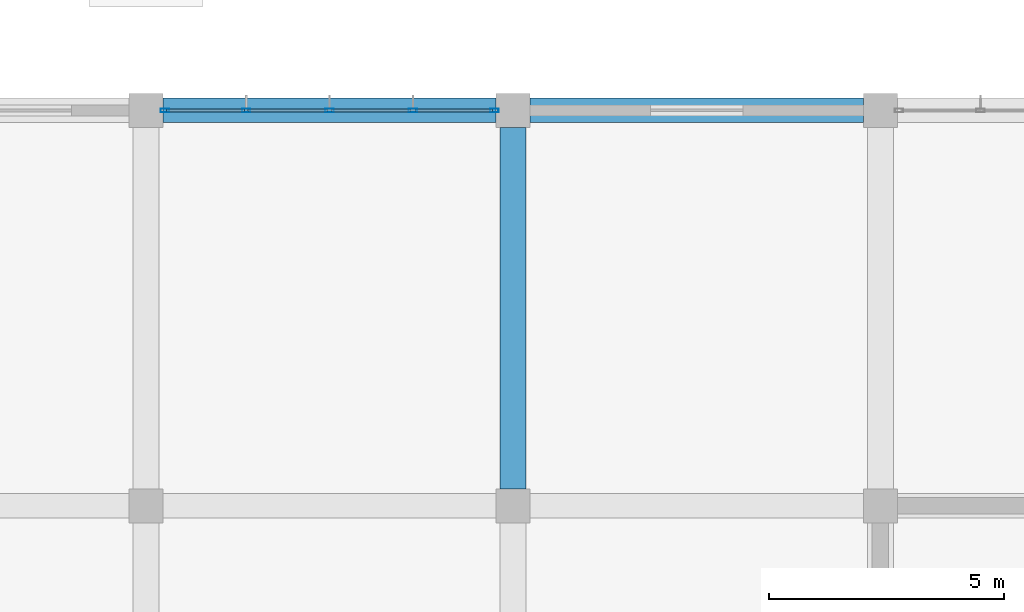
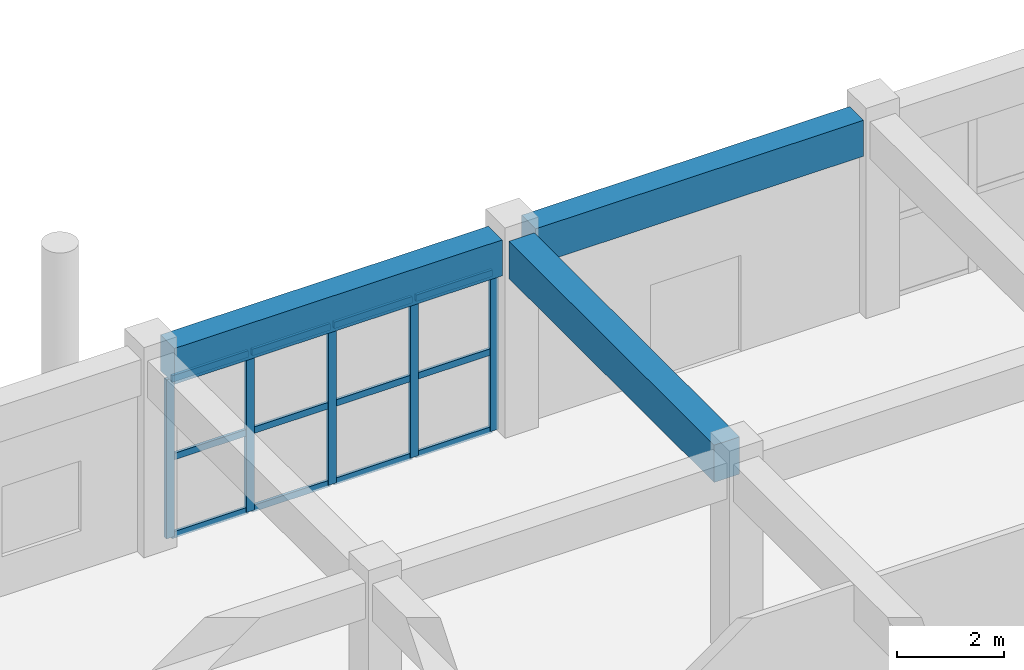
# One storey, part 87 of 139: 17 members, 3 beams, 1 element without a shape of its own.
"""IFC4 building model written with IfcOpenShell, lengths in metres."""

import ifcopenshell
import ifcopenshell.guid

model = None  # the IFC model being written
_history = None  # IfcOwnerHistory: only IFC2X3 demands one
_inside = {}  # id of a spatial element -> (the spatial element, [elements in it])
_under = {}  # id of a project, library or spatial element -> (it, [spatial elements below it])
_declared = {}  # id of a project -> (the project, [libraries it declares])
_typed = {}  # id of a type object -> (the type object, [elements of that type])
_made_of = {}  # id of a material, layer set ... -> (it, [elements and type objects made of it])


def new_model(schema):
    """Start an empty IFC model of exactly this schema.

    Asked for "IFC4X3", IfcOpenShell would pick the latest addendum, in which some entities
    have other attributes; the version numbers below select the first issue.
    IFC2X3 requires an IfcOwnerHistory on every rooted entity: one is made here for all.
    """
    global model, _history
    if schema == "IFC4X3":
        model = ifcopenshell.file(schema_version=(4, 3, 0, 0))
    else:
        model = ifcopenshell.file(schema=schema)
    _inside.clear()
    _under.clear()
    _declared.clear()
    _typed.clear()
    _made_of.clear()
    _history = None
    if model.schema == "IFC2X3":
        org = make("IfcOrganization", Name="unknown")
        user = make(
            "IfcPersonAndOrganization",
            ThePerson=make("IfcPerson", FamilyName="unknown"),
            TheOrganization=org,
        )
        app = make(
            "IfcApplication",
            ApplicationDeveloper=org,
            Version="unknown",
            ApplicationFullName="unknown",
            ApplicationIdentifier="unknown",
        )
        _history = make(
            "IfcOwnerHistory",
            OwningUser=user,
            OwningApplication=app,
            ChangeAction="ADDED",
            CreationDate=0,
        )
    return model


def make(cls, **values):
    """One entity of the class cls with the attributes given. An attribute that is None is left unset."""
    return model.create_entity(
        cls, **{name: value for name, value in values.items() if value is not None}
    )


def rooted(cls, **values):
    """An entity with a GlobalId (a new one), such as an element, a storey or a relation."""
    return make(cls, GlobalId=ifcopenshell.guid.new(), OwnerHistory=_history, **values)


def si_unit(unit_type, name, prefix=None):
    """IfcSIUnit, for example si_unit("LENGTHUNIT", "METRE", prefix="MILLI")."""
    return make("IfcSIUnit", UnitType=unit_type, Prefix=prefix, Name=name)


def assignment(units):
    """IfcUnitAssignment: the units of a project."""
    return None if units is None else make("IfcUnitAssignment", Units=units)


def point(xyz):
    """IfcCartesianPoint."""
    return None if xyz is None else make("IfcCartesianPoint", Coordinates=xyz)


def direction(xyz):
    """IfcDirection."""
    return None if xyz is None else make("IfcDirection", DirectionRatios=xyz)


def frame(location, z_axis=None, x_axis=None):
    """IfcAxis2Placement3D, a coordinate frame: its origin and axes. An axis left out is left unset."""
    return make(
        "IfcAxis2Placement3D",
        Location=point(location),
        Axis=direction(z_axis),
        RefDirection=direction(x_axis),
    )


def frame_2d(location, x_axis=None):
    """IfcAxis2Placement2D, a coordinate frame in the plane: its origin and x axis."""
    return make(
        "IfcAxis2Placement2D", Location=point(location), RefDirection=direction(x_axis)
    )


def origin():
    """The frame at (0, 0, 0) with its axes left unset."""
    return frame((0.0, 0.0, 0.0))


def origin_2d():
    """The frame at (0, 0) in the plane with its x axis left unset."""
    return frame_2d((0.0, 0.0))


def place(relative_to, where):
    """IfcLocalPlacement: puts the frame where relative to a parent placement (None: the world)."""
    return make(
        "IfcLocalPlacement", PlacementRelTo=relative_to, RelativePlacement=where
    )


def context(
    kind, dimensions, precision=None, world=None, true_north=None, identifier=None
):
    """IfcGeometricRepresentationContext, for example the 3D "Model" context."""
    return make(
        "IfcGeometricRepresentationContext",
        ContextIdentifier=identifier,
        ContextType=kind,
        CoordinateSpaceDimension=dimensions,
        Precision=precision,
        WorldCoordinateSystem=world,
        TrueNorth=true_north,
    )


def subcontext(parent, identifier, kind, view, scale=None):
    """IfcGeometricRepresentationSubContext, for example "Body" below "Model"."""
    return make(
        "IfcGeometricRepresentationSubContext",
        ContextIdentifier=identifier,
        ContextType=kind,
        ParentContext=parent,
        TargetScale=scale,
        TargetView=view,
    )


def project(units=None, contexts=None):
    """IfcProject with its units and contexts."""
    return rooted(
        "IfcProject",
        Name="project",
        RepresentationContexts=contexts,
        UnitsInContext=assignment(units),
    )


def spatial(cls, under=None, at=None, **own):
    """A site, building, storey or space (cls), placed at a placement, below another one or the project."""
    s = rooted(cls, ObjectPlacement=at, **own)
    if under is not None:
        _under.setdefault(under.id(), (under, []))[1].append(s)
    return s


def profile(cls, at=None, kind="AREA", **sizes):
    """A parametric profile (cls). Its sizes go by their IFC names, for example OverallWidth=200.0."""
    return make(cls, ProfileType=kind, Position=at, **sizes)


def rectangle(**sizes):
    """IfcRectangleProfileDef."""
    return profile("IfcRectangleProfileDef", **sizes)


def hollow_rectangle(**sizes):
    """IfcRectangleHollowProfileDef."""
    return profile("IfcRectangleHollowProfileDef", **sizes)


def extrude(swept, where, along, depth):
    """IfcExtrudedAreaSolid: the profile swept, set in the frame where, extruded along a direction by depth."""
    return make(
        "IfcExtrudedAreaSolid",
        SweptArea=swept,
        Position=where,
        ExtrudedDirection=direction(along),
        Depth=depth,
    )


def shape(context_of_items, identifier, shape_type, items):
    """IfcShapeRepresentation: the items that make up one representation, for example the "Body"."""
    return make(
        "IfcShapeRepresentation",
        ContextOfItems=context_of_items,
        RepresentationIdentifier=identifier,
        RepresentationType=shape_type,
        Items=items,
    )


def material(Name=None, Category=None):
    """IfcMaterial."""
    return make("IfcMaterial", Name=Name, Category=Category)


def layer(
    of_material, thickness, ventilated=None, Name=None, Category=None, Priority=None
):
    """IfcMaterialLayer: one layer of a wall or slab, of a material (None: an air gap)."""
    return make(
        "IfcMaterialLayer",
        Material=of_material,
        LayerThickness=thickness,
        IsVentilated=ventilated,
        Name=Name,
        Category=Category,
        Priority=Priority,
    )


def layer_set(layers, Name=None):
    """IfcMaterialLayerSet."""
    return make("IfcMaterialLayerSet", MaterialLayers=layers, LayerSetName=Name)


def material_profile(
    of_material, cross_section, Name=None, Category=None, Priority=None
):
    """IfcMaterialProfile: a cross section and its material."""
    return make(
        "IfcMaterialProfile",
        Name=Name,
        Material=of_material,
        Profile=cross_section,
        Priority=Priority,
        Category=Category,
    )


def profile_set(profiles, Name=None, composite=None):
    """IfcMaterialProfileSet."""
    return make(
        "IfcMaterialProfileSet",
        Name=Name,
        MaterialProfiles=profiles,
        CompositeProfile=composite,
    )


def made_of(thing, what):
    """Note that an element or type object is made of a material, layer set ...; save() writes the relation."""
    if what is not None:
        _made_of.setdefault(what.id(), (what, []))[1].append(thing)
    return thing


def type_object(cls, material=None, **own):
    """A type object (cls), such as IfcWallType, which elements share."""
    return made_of(rooted(cls, **own), material)


def element(
    cls,
    number,
    at=None,
    inside=None,
    cuts=None,
    type_object=None,
    material=None,
    context=None,
    identifier="Body",
    shape_type=None,
    held_by="IfcProductDefinitionShape",
    body=None,
    shapes=None,
    **own,
):
    """One element of the class cls, such as IfcWall. Its Tag is "e" and its number.

    at: its placement. inside: the storey or other place that contains it. cuts: it is an
    opening in that element (IfcRelVoidsElement). A single representation is given by context,
    identifier, shape_type and body (its items); several are given by shapes. held_by: the class
    of the entity that holds the representations. save() writes the other relations.
    """
    e = rooted(cls, Tag="e%d" % number, ObjectPlacement=at, **own)
    if body is not None:
        shapes = [shape(context, identifier, shape_type, body)]
    if shapes is not None:
        e.Representation = make(held_by, Representations=shapes)
    if inside is not None:
        _inside.setdefault(inside.id(), (inside, []))[1].append(e)
    if cuts is not None:
        rooted(
            "IfcRelVoidsElement", RelatingBuildingElement=cuts, RelatedOpeningElement=e
        )
    if type_object is not None:
        _typed.setdefault(type_object.id(), (type_object, []))[1].append(e)
    return made_of(e, material)


def aggregate(whole, parts):
    """IfcRelAggregates: a whole, such as a stair, and the parts it consists of."""
    return rooted("IfcRelAggregates", RelatingObject=whole, RelatedObjects=parts)


def save(model, path):
    """Write the relations noted so far, then the file.

    IfcRelAggregates (storeys below a building ...), IfcRelContainedInSpatialStructure (elements
    in a storey), IfcRelDefinesByType, IfcRelAssociatesMaterial and IfcRelDeclares: one each for
    every whole, place, type object, material and project.
    """
    for whole, parts in _under.values():
        aggregate(whole, parts)
    for where, things in _inside.values():
        rooted(
            "IfcRelContainedInSpatialStructure",
            RelatedElements=things,
            RelatingStructure=where,
        )
    for kind, things in _typed.values():
        rooted("IfcRelDefinesByType", RelatedObjects=things, RelatingType=kind)
    for what, things in _made_of.values():
        rooted("IfcRelAssociatesMaterial", RelatedObjects=things, RelatingMaterial=what)
    for by, libraries in _declared.values():
        rooted("IfcRelDeclares", RelatingContext=by, RelatedDefinitions=libraries)
    model.write(path)


model = new_model("IFC4")

# Units and contexts
model_context = context("Model", 3, precision=1e-05, world=origin(), true_north=direction((0.0, 1.0)))
body_context = subcontext(model_context, "Body", "Model", "MODEL_VIEW")
ifc_project = project(units=[si_unit("LENGTHUNIT", "METRE"), si_unit("AREAUNIT", "SQUARE_METRE"), si_unit("VOLUMEUNIT", "CUBIC_METRE"), si_unit("PLANEANGLEUNIT", "RADIAN"), si_unit("MASSUNIT", "GRAM", prefix="KILO")], contexts=[model_context])

# Site, building, storey
site_placement = place(None, origin())
site = spatial("IfcSite", under=ifc_project, at=site_placement, CompositionType="ELEMENT")
building_placement = place(site_placement, origin())
building = spatial("IfcBuilding", under=site, at=building_placement, Name="Zizhar Promenade General Hospital", CompositionType="ELEMENT")
storey_placement = place(building_placement, origin())
storey = spatial("IfcBuildingStorey", under=building, at=storey_placement, Name="L00", CompositionType="ELEMENT", Elevation=0.0)

# Beams
ifc_material_1 = material(Name="Concrete C35/45", Category="concrete")
ifc_material_profile_1 = material_profile(ifc_material_1, rectangle(XDim=0.52001953125, YDim=0.820068359375, at=origin_2d()))
ifc_profile_set_1 = profile_set([ifc_material_profile_1], Name="Concrete C35/45")
beam_type_1 = type_object("IfcBeamType", Name="BM-RC-520x820", PredefinedType="BEAM", material=ifc_profile_set_1)
beam_1_placement = place(storey_placement, frame((156.360107421875, 109.199951171875, 4.06005859375), z_axis=(1.0, 0.0, 0.0), x_axis=(0.0, 1.0, 0.0)))
element("IfcBeam", 1, at=beam_1_placement, inside=storey, type_object=beam_type_1, Name="Grid Beam X L00 (20-13)", PredefinedType="BEAM", context=body_context, shape_type="SweptSolid", body=[
    extrude(rectangle(XDim=0.52001953125, YDim=0.820068359375, at=origin_2d()), origin(), (0.0, 0.0, 1.0), 7.079833984375),
])
beam_2_placement = place(storey_placement, frame((164.159912109375, 109.199951171875, 4.06005859375), z_axis=(1.0, 0.0, 0.0), x_axis=(0.0, 1.0, 0.0)))
element("IfcBeam", 2, at=beam_2_placement, inside=storey, type_object=beam_type_1, Name="Grid Beam X L00 (21-13)", PredefinedType="BEAM", context=body_context, shape_type="SweptSolid", body=[
    extrude(rectangle(XDim=0.52001953125, YDim=0.820068359375, at=origin_2d()), origin(), (0.0, 0.0, 1.0), 7.080078125),
])
ifc_material_2 = material(Name="Concrete C35/45", Category="concrete")
ifc_material_profile_2 = material_profile(ifc_material_2, rectangle(XDim=0.550048828125, YDim=0.85009765625, at=origin_2d()))
ifc_profile_set_2 = profile_set([ifc_material_profile_2], Name="Concrete C35/45")
beam_type_2 = type_object("IfcBeamType", Name="BM-RC-550x850", PredefinedType="BEAM", material=ifc_profile_set_2)
beam_3_placement = place(storey_placement, frame((163.800048828125, 101.159912109375, 4.044921875), z_axis=(0.0, 1.0, 0.0), x_axis=(-1.0, 0.0, 0.0)))
element("IfcBeam", 3, at=beam_3_placement, inside=storey, type_object=beam_type_2, Name="Grid Beam Y L00 (21-12)", PredefinedType="BEAM", context=body_context, shape_type="SweptSolid", body=[
    extrude(rectangle(XDim=0.550048828125, YDim=0.85009765625, at=origin_2d()), origin(), (0.0, 0.0, 1.0), 7.68017578125),
])

# Curtain wall, members
ifc_material_3 = material(Name="Anodised aluminium 6063-T6 and low-E glass", Category="aluminium")
ifc_layer = layer(ifc_material_3, 0.159912109375)
ifc_layer_set = layer_set([ifc_layer], Name="Anodised aluminium 6063-T6 and low-E glass")
curtain_wall_type = type_object("IfcCurtainWallType", Name="CW-CLN-EXT", PredefinedType="NOTDEFINED", material=ifc_layer_set)
curtain_wall_placement = place(storey_placement, origin())
curtain_wall = element("IfcCurtainWall", 4, at=curtain_wall_placement, inside=storey, type_object=curtain_wall_type, Name="Outpatient North Curtain Wall L00-20", PredefinedType="NOTDEFINED")
ifc_material_4 = material(Name="Anodised aluminium 6063-T6", Category="aluminium")
ifc_material_profile_3 = material_profile(ifc_material_4, hollow_rectangle(XDim=0.080078125, YDim=0.179931640625, WallThickness=0.0048828125, at=origin_2d()))
ifc_profile_set_3 = profile_set([ifc_material_profile_3], Name="Anodised aluminium 6063-T6")
member_type_1 = type_object("IfcMemberType", Name="CWM-ALU-180x80", PredefinedType="MULLION", material=ifc_profile_set_3)
member_1_placement = place(storey_placement, frame((156.39990234375, 109.199951171875, 0.0), z_axis=(0.0, 0.0, 1.0), x_axis=(0.0, 1.0, 0.0)))
member_1 = element("IfcMember", 5, at=member_1_placement, type_object=member_type_1, Name="CW-09 mullion 1", PredefinedType="MULLION", context=body_context, shape_type="SweptSolid", body=[
    extrude(hollow_rectangle(XDim=0.080078125, YDim=0.179931640625, WallThickness=0.0048828125, at=origin_2d()), origin(), (0.0, 0.0, 1.0), 3.6298828125),
])
member_2_placement = place(storey_placement, frame((158.1298828125, 109.199951171875, 0.0), z_axis=(0.0, 0.0, 1.0), x_axis=(0.0, 1.0, 0.0)))
member_2 = element("IfcMember", 6, at=member_2_placement, type_object=member_type_1, Name="CW-09 mullion 2", PredefinedType="MULLION", context=body_context, shape_type="SweptSolid", body=[
    extrude(hollow_rectangle(XDim=0.080078125, YDim=0.179931640625, WallThickness=0.0048828125, at=origin_2d()), origin(), (0.0, 0.0, 1.0), 3.6298828125),
])
member_3_placement = place(storey_placement, frame((159.89990234375, 109.199951171875, 0.0), z_axis=(0.0, 0.0, 1.0), x_axis=(0.0, 1.0, 0.0)))
member_3 = element("IfcMember", 7, at=member_3_placement, type_object=member_type_1, Name="CW-09 mullion 3", PredefinedType="MULLION", context=body_context, shape_type="SweptSolid", body=[
    extrude(hollow_rectangle(XDim=0.080078125, YDim=0.179931640625, WallThickness=0.0048828125, at=origin_2d()), origin(), (0.0, 0.0, 1.0), 3.6298828125),
])
member_4_placement = place(storey_placement, frame((161.669921875, 109.199951171875, 0.0), z_axis=(0.0, 0.0, 1.0), x_axis=(0.0, 1.0, 0.0)))
member_4 = element("IfcMember", 8, at=member_4_placement, type_object=member_type_1, Name="CW-09 mullion 4", PredefinedType="MULLION", context=body_context, shape_type="SweptSolid", body=[
    extrude(hollow_rectangle(XDim=0.080078125, YDim=0.179931640625, WallThickness=0.0048828125, at=origin_2d()), origin(), (0.0, 0.0, 1.0), 3.6298828125),
])
member_5_placement = place(storey_placement, frame((163.39990234375, 109.199951171875, 0.0), z_axis=(0.0, 0.0, 1.0), x_axis=(0.0, 1.0, 0.0)))
member_5 = element("IfcMember", 9, at=member_5_placement, type_object=member_type_1, Name="CW-09 mullion 5", PredefinedType="MULLION", context=body_context, shape_type="SweptSolid", body=[
    extrude(hollow_rectangle(XDim=0.080078125, YDim=0.179931640625, WallThickness=0.0048828125, at=origin_2d()), origin(), (0.0, 0.0, 1.0), 3.6298828125),
])
ifc_material_5 = material(Name="Anodised aluminium 6063-T6", Category="aluminium")
ifc_material_profile_4 = material_profile(ifc_material_5, hollow_rectangle(XDim=0.06005859375, YDim=0.14990234375, WallThickness=0.00390625, at=origin_2d()))
ifc_profile_set_4 = profile_set([ifc_material_profile_4], Name="Anodised aluminium 6063-T6")
member_type_2 = type_object("IfcMemberType", Name="CWT-ALU-150x60", PredefinedType="USERDEFINED", material=ifc_profile_set_4)
member_6_placement = place(storey_placement, frame((156.43994140625, 109.199951171875, 0.030029296875), z_axis=(1.0, 0.0, 0.0), x_axis=(0.0, 1.0, 0.0)))
member_6 = element("IfcMember", 10, at=member_6_placement, type_object=member_type_2, Name="CW-09 transom 1.1", ObjectType="TRANSOM", PredefinedType="USERDEFINED", context=body_context, shape_type="SweptSolid", body=[
    extrude(hollow_rectangle(XDim=0.06005859375, YDim=0.14990234375, WallThickness=0.00390625, at=origin_2d()), origin(), (0.0, 0.0, 1.0), 1.650146484375),
])
member_7_placement = place(storey_placement, frame((156.43994140625, 109.199951171875, 1.81494140625), z_axis=(1.0, 0.0, 0.0), x_axis=(0.0, 1.0, 0.0)))
member_7 = element("IfcMember", 11, at=member_7_placement, type_object=member_type_2, Name="CW-09 transom 1.2", ObjectType="TRANSOM", PredefinedType="USERDEFINED", context=body_context, shape_type="SweptSolid", body=[
    extrude(hollow_rectangle(XDim=0.06005859375, YDim=0.14990234375, WallThickness=0.00390625, at=origin_2d()), origin(), (0.0, 0.0, 1.0), 1.650146484375),
])
member_8_placement = place(storey_placement, frame((156.43994140625, 109.199951171875, 3.60009765625), z_axis=(1.0, 0.0, 0.0), x_axis=(0.0, 1.0, 0.0)))
member_8 = element("IfcMember", 12, at=member_8_placement, type_object=member_type_2, Name="CW-09 transom 1.3", ObjectType="TRANSOM", PredefinedType="USERDEFINED", context=body_context, shape_type="SweptSolid", body=[
    extrude(hollow_rectangle(XDim=0.06005859375, YDim=0.14990234375, WallThickness=0.00390625, at=origin_2d()), origin(), (0.0, 0.0, 1.0), 1.650146484375),
])
member_9_placement = place(storey_placement, frame((158.169921875, 109.199951171875, 0.030029296875), z_axis=(1.0, 0.0, 0.0), x_axis=(0.0, 1.0, 0.0)))
member_9 = element("IfcMember", 13, at=member_9_placement, type_object=member_type_2, Name="CW-09 transom 2.1", ObjectType="TRANSOM", PredefinedType="USERDEFINED", context=body_context, shape_type="SweptSolid", body=[
    extrude(hollow_rectangle(XDim=0.06005859375, YDim=0.14990234375, WallThickness=0.00390625, at=origin_2d()), origin(), (0.0, 0.0, 1.0), 1.690185546875),
])
member_10_placement = place(storey_placement, frame((158.169921875, 109.199951171875, 1.81494140625), z_axis=(1.0, 0.0, 0.0), x_axis=(0.0, 1.0, 0.0)))
member_10 = element("IfcMember", 14, at=member_10_placement, type_object=member_type_2, Name="CW-09 transom 2.2", ObjectType="TRANSOM", PredefinedType="USERDEFINED", context=body_context, shape_type="SweptSolid", body=[
    extrude(hollow_rectangle(XDim=0.06005859375, YDim=0.14990234375, WallThickness=0.00390625, at=origin_2d()), origin(), (0.0, 0.0, 1.0), 1.690185546875),
])
member_11_placement = place(storey_placement, frame((158.169921875, 109.199951171875, 3.60009765625), z_axis=(1.0, 0.0, 0.0), x_axis=(0.0, 1.0, 0.0)))
member_11 = element("IfcMember", 15, at=member_11_placement, type_object=member_type_2, Name="CW-09 transom 2.3", ObjectType="TRANSOM", PredefinedType="USERDEFINED", context=body_context, shape_type="SweptSolid", body=[
    extrude(hollow_rectangle(XDim=0.06005859375, YDim=0.14990234375, WallThickness=0.00390625, at=origin_2d()), origin(), (0.0, 0.0, 1.0), 1.690185546875),
])
member_12_placement = place(storey_placement, frame((159.93994140625, 109.199951171875, 0.030029296875), z_axis=(1.0, 0.0, 0.0), x_axis=(0.0, 1.0, 0.0)))
member_12 = element("IfcMember", 16, at=member_12_placement, type_object=member_type_2, Name="CW-09 transom 3.1", ObjectType="TRANSOM", PredefinedType="USERDEFINED", context=body_context, shape_type="SweptSolid", body=[
    extrude(hollow_rectangle(XDim=0.06005859375, YDim=0.14990234375, WallThickness=0.00390625, at=origin_2d()), origin(), (0.0, 0.0, 1.0), 1.68994140625),
])
member_13_placement = place(storey_placement, frame((159.93994140625, 109.199951171875, 1.81494140625), z_axis=(1.0, 0.0, 0.0), x_axis=(0.0, 1.0, 0.0)))
member_13 = element("IfcMember", 17, at=member_13_placement, type_object=member_type_2, Name="CW-09 transom 3.2", ObjectType="TRANSOM", PredefinedType="USERDEFINED", context=body_context, shape_type="SweptSolid", body=[
    extrude(hollow_rectangle(XDim=0.06005859375, YDim=0.14990234375, WallThickness=0.00390625, at=origin_2d()), origin(), (0.0, 0.0, 1.0), 1.68994140625),
])
member_14_placement = place(storey_placement, frame((159.93994140625, 109.199951171875, 3.60009765625), z_axis=(1.0, 0.0, 0.0), x_axis=(0.0, 1.0, 0.0)))
member_14 = element("IfcMember", 18, at=member_14_placement, type_object=member_type_2, Name="CW-09 transom 3.3", ObjectType="TRANSOM", PredefinedType="USERDEFINED", context=body_context, shape_type="SweptSolid", body=[
    extrude(hollow_rectangle(XDim=0.06005859375, YDim=0.14990234375, WallThickness=0.00390625, at=origin_2d()), origin(), (0.0, 0.0, 1.0), 1.68994140625),
])
member_15_placement = place(storey_placement, frame((161.7099609375, 109.199951171875, 0.030029296875), z_axis=(1.0, 0.0, 0.0), x_axis=(0.0, 1.0, 0.0)))
member_15 = element("IfcMember", 19, at=member_15_placement, type_object=member_type_2, Name="CW-09 transom 4.1", ObjectType="TRANSOM", PredefinedType="USERDEFINED", context=body_context, shape_type="SweptSolid", body=[
    extrude(hollow_rectangle(XDim=0.06005859375, YDim=0.14990234375, WallThickness=0.00390625, at=origin_2d()), origin(), (0.0, 0.0, 1.0), 1.650146484375),
])
member_16_placement = place(storey_placement, frame((161.7099609375, 109.199951171875, 1.81494140625), z_axis=(1.0, 0.0, 0.0), x_axis=(0.0, 1.0, 0.0)))
member_16 = element("IfcMember", 20, at=member_16_placement, type_object=member_type_2, Name="CW-09 transom 4.2", ObjectType="TRANSOM", PredefinedType="USERDEFINED", context=body_context, shape_type="SweptSolid", body=[
    extrude(hollow_rectangle(XDim=0.06005859375, YDim=0.14990234375, WallThickness=0.00390625, at=origin_2d()), origin(), (0.0, 0.0, 1.0), 1.650146484375),
])
member_17_placement = place(storey_placement, frame((161.7099609375, 109.199951171875, 3.60009765625), z_axis=(1.0, 0.0, 0.0), x_axis=(0.0, 1.0, 0.0)))
member_17 = element("IfcMember", 21, at=member_17_placement, type_object=member_type_2, Name="CW-09 transom 4.3", ObjectType="TRANSOM", PredefinedType="USERDEFINED", context=body_context, shape_type="SweptSolid", body=[
    extrude(hollow_rectangle(XDim=0.06005859375, YDim=0.14990234375, WallThickness=0.00390625, at=origin_2d()), origin(), (0.0, 0.0, 1.0), 1.650146484375),
])
aggregate(curtain_wall, [member_1, member_2, member_3, member_4, member_5, member_6, member_7, member_8, member_9, member_10, member_11, member_12, member_13, member_14, member_15, member_16, member_17])

save(model, "model.ifc")
